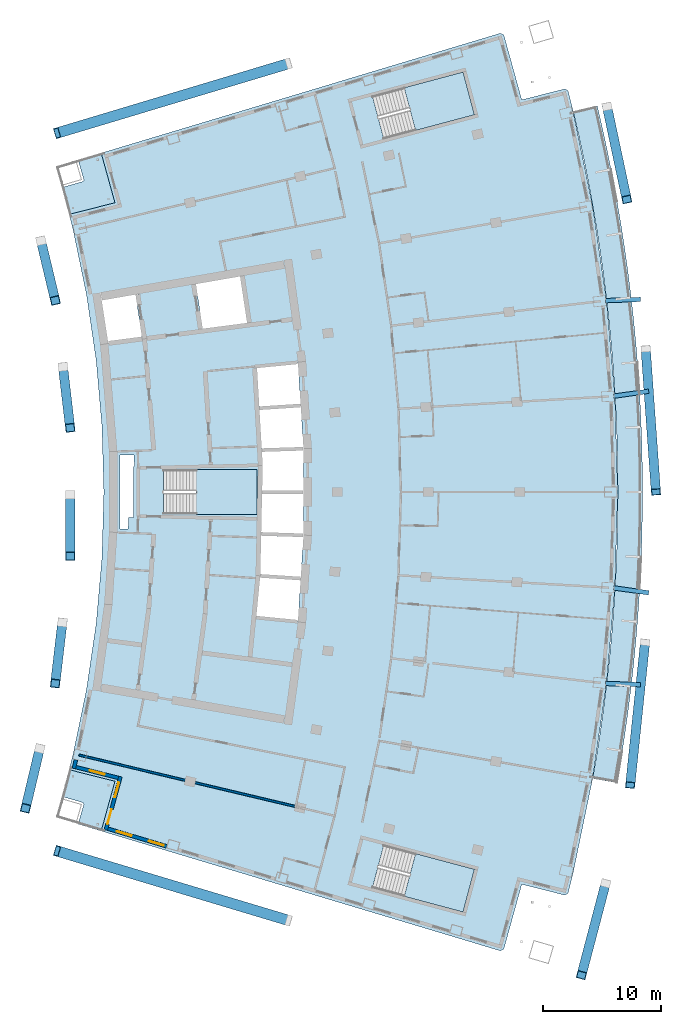
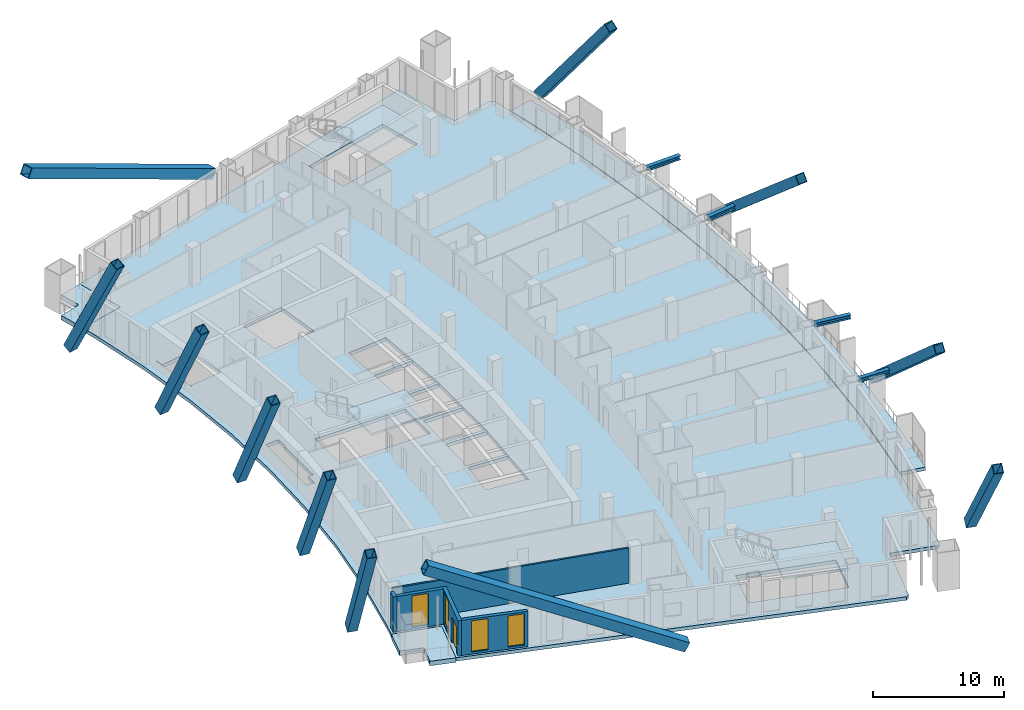
# One storey, part 9 of 19: 15 members, 7 slabs, 5 walls, 4 windows, 1 door, 5 openings, 3 elements without a shape of their own.
"""IFC4 building model written with IfcOpenShell, lengths in metres."""

from ifc_helpers import new_model, si_unit, direction, frame, frame_2d, origin, origin_2d, place, context, subcontext, project, spatial, polyline, rectangle, hollow_rectangle, i_section, outline, extrude, material, layer, layer_set, material_profile, profile_set, type_object, element, fill, aggregate, save


model = new_model("IFC4")

# Units and contexts
model_context = context("Model", 3, precision=1e-05, world=origin(), true_north=direction((0.0, 1.0)))
body_context = subcontext(model_context, "Body", "Model", "MODEL_VIEW")
ifc_project = project(units=[si_unit("LENGTHUNIT", "METRE"), si_unit("AREAUNIT", "SQUARE_METRE"), si_unit("VOLUMEUNIT", "CUBIC_METRE"), si_unit("PLANEANGLEUNIT", "RADIAN"), si_unit("MASSUNIT", "GRAM", prefix="KILO")], contexts=[model_context])

# Site, building, storey
site_placement = place(None, origin())
site = spatial("IfcSite", under=ifc_project, at=site_placement, CompositionType="ELEMENT")
building_placement = place(site_placement, origin())
building = spatial("IfcBuilding", under=site, at=building_placement, Name="Alderwake Tower", CompositionType="ELEMENT")
storey_placement = place(building_placement, frame((0.0, 0.0, 171.199951171875)))
storey = spatial("IfcBuildingStorey", under=building, at=storey_placement, Name="L42", CompositionType="ELEMENT", Elevation=171.199951171875)

# Members
ifc_material_1 = material(Name="Steel ASTM A992 Grade 50", Category="steel")
ifc_material_profile_1 = material_profile(ifc_material_1, i_section(OverallWidth=0.3740234375, OverallDepth=0.372314453125, WebThickness=0.016357421875, FlangeThickness=0.026123046875, at=origin_2d()), Name="W14X132")
ifc_profile_set_1 = profile_set([ifc_material_profile_1], Name="Steel ASTM A992 Grade 50")
member_type_1 = type_object("IfcMemberType", Name="Brace node stub W14X132", PredefinedType="MEMBER", material=ifc_profile_set_1)
for number, where, z_axis, x_axis, name in (
    (1, (59.2626953125, 52.8662109375, 3.393798828125), (0.990217286308, -0.139533959658, 0.0), (0.139533959658, 0.990217286308, 0.0), "Brace node stub BS.FR06-C5.1748"),
    (2, (58.5517578125, 44.7626953125, 3.393798828125), (0.99938860461, -0.034963080168, 0.0), (0.034963080168, 0.99938860461, 0.0), "Brace node stub BS.FR05-C5.1748"),
    (3, (58.5517578125, 77.2373046875, 3.393798828125), (0.99938860461, 0.034963080168, 0.0), (-0.034963080168, 0.99938860461, 0.0), "Brace node stub BS.FR09-C5.1748"),
    (4, (59.2626953125, 69.1337890625, 3.393798828125), (0.990217286308, 0.139533959658, 0.0), (-0.139533959658, 0.990217286308, 0.0), "Brace node stub BS.FR08-C5.1748"),
):
    element("IfcMember", number, at=place(storey_placement, frame(where, z_axis=z_axis, x_axis=x_axis)), inside=storey, type_object=member_type_1, Name=name, PredefinedType="MEMBER", context=body_context, shape_type="SweptSolid", body=[
        extrude(i_section(OverallWidth=0.3740234375, OverallDepth=0.372314453125, WebThickness=0.016357421875, FlangeThickness=0.026123046875, at=origin_2d()), origin(), (0.0, 0.0, 1.0), 2.988525390625),
    ])
ifc_material_2 = material(Name="Steel ASTM A572 Grade 50", Category="steel")
ifc_material_profile_2 = material_profile(ifc_material_2, hollow_rectangle(XDim=0.89990234375, YDim=0.89990234375, WallThickness=0.054931640625, at=origin_2d()), Name="BOX 900X900X55")
ifc_profile_set_2 = profile_set([ifc_material_profile_2], Name="Steel ASTM A572 Grade 50")
member_type_2 = type_object("IfcMemberType", Name="Mega brace end Z3", PredefinedType="BRACE", material=ifc_profile_set_2)
for number, where, z_axis, x_axis, name in (
    (5, (31.668701171875, 24.65478515625, 0.305419921875), (-0.852575806573, 0.25596565161, 0.455627127422), (-0.287546696653, -0.957766619404, 0.0), "Brace BRS3.2.0B2"),
    (6, (31.668701171875, 97.34521484375, 0.305419921875), (-0.852575806573, -0.25596565161, 0.455627127422), (0.287546696653, -0.957766619404, 0.0), "Brace BRN3.2.0B2"),
):
    element("IfcMember", number, at=place(storey_placement, frame(where, z_axis=z_axis, x_axis=x_axis)), inside=storey, type_object=member_type_2, Name=name, PredefinedType="BRACE", context=body_context, shape_type="SweptSolid", body=[
        extrude(hollow_rectangle(XDim=0.89990234375, YDim=0.89990234375, WallThickness=0.054931640625, at=origin_2d()), origin(), (0.0, 0.0, 1.0), 23.033447265625),
    ])
ifc_material_3 = material(Name="Steel ASTM A572 Grade 50", Category="steel")
ifc_material_profile_3 = material_profile(ifc_material_3, hollow_rectangle(XDim=0.800048828125, YDim=0.800048828125, WallThickness=0.050048828125, at=origin_2d()), Name="BOX 800X800X50")
ifc_profile_set_3 = profile_set([ifc_material_profile_3], Name="Steel ASTM A572 Grade 50")
member_type_3 = type_object("IfcMemberType", Name="Mega brace face Z3", PredefinedType="BRACE", material=ifc_profile_set_3)
member_1_placement = place(storey_placement, frame((58.568603515625, 27.806640625, 0.344482421875), z_axis=(-0.155371909933, -0.590361473273, 0.792043496582), x_axis=(0.967069042998, -0.254514176568, 0.0)))
element("IfcMember", 7, at=member_1_placement, inside=storey, type_object=member_type_3, Name="Brace BRF3.2.2B2", PredefinedType="BRACE", context=body_context, shape_type="SweptSolid", body=[
    extrude(hollow_rectangle(XDim=0.800048828125, YDim=0.800048828125, WallThickness=0.050048828125, at=origin_2d()), origin(), (0.0, 0.0, 1.0), 13.20068359375),
])
for number, where, z_axis, x_axis, name in (
    (8, (61.91064453125, 48.2421875, 0.28125), (-0.078171809318, -0.752676780477, 0.653732997759), (0.994649958678, -0.103302757471, 0.0), "Brace BRF3.2.4B2"),
    (9, (61.964599609375, 73.144775390625, 0.28125), (0.054061992632, -0.754789173022, 0.653735883398), (0.997444736522, 0.071442267489, 0.0), "Brace BRF3.2.7B2"),
):
    element("IfcMember", number, at=place(storey_placement, frame(where, z_axis=z_axis, x_axis=x_axis)), inside=storey, type_object=member_type_3, Name=name, PredefinedType="BRACE", context=body_context, shape_type="SweptSolid", body=[
        extrude(hollow_rectangle(XDim=0.800048828125, YDim=0.800048828125, WallThickness=0.050048828125, at=origin_2d()), origin(), (0.0, 0.0, 1.0), 16.09033203125),
    ])
member_2_placement = place(storey_placement, frame((58.68603515625, 93.699462890625, 0.344482421875), z_axis=(0.126854129551, -0.597133588106, 0.792047667613), x_axis=(0.978171091774, 0.207801143447, 0.0)))
element("IfcMember", 10, at=member_2_placement, inside=storey, type_object=member_type_3, Name="Brace BRF3.2.10B2", PredefinedType="BRACE", context=body_context, shape_type="SweptSolid", body=[
    extrude(hollow_rectangle(XDim=0.800048828125, YDim=0.800048828125, WallThickness=0.050048828125, at=origin_2d()), origin(), (0.0, 0.0, 1.0), 13.20068359375),
])
for number, where, z_axis, x_axis, name in (
    (11, (10.565185546875, 39.244873046875, 0.446533203125), (-0.10399521969, -0.437630754388, 0.893120550148), (0.972907596897, -0.231194307674, 0.0), "Brace BRR3.2.2B2"),
    (12, (12.48193359375, 49.934814453125, 0.446533203125), (-0.052355380573, -0.446768722233, 0.893116242691), (0.993203552049, -0.11639030972, 0.0), "Brace BRR3.2.4B2"),
    (13, (13.141357421875, 60.775146484375, 0.446533203125), (0.0, -0.449823144453, 0.893117651105), (1.0, 0.0, 0.0), "Brace BRR3.2.6B2"),
    (14, (12.5341796875, 71.618408203125, 0.446533203125), (0.052376875702, -0.446751372848, 0.893123660951), (0.993197504065, 0.116441907915, 0.0), "Brace BRR3.2.8B2"),
    (15, (10.669189453125, 82.3173828125, 0.446533203125), (0.104017010705, -0.437612768868, 0.893126825265), (0.972894561236, 0.231249157223, 0.0), "Brace BRR3.2.10B2"),
):
    element("IfcMember", number, at=place(storey_placement, frame(where, z_axis=z_axis, x_axis=x_axis)), inside=storey, type_object=member_type_3, Name=name, PredefinedType="BRACE", context=body_context, shape_type="SweptSolid", body=[
        extrude(hollow_rectangle(XDim=0.800048828125, YDim=0.800048828125, WallThickness=0.050048828125, at=origin_2d()), origin(), (0.0, 0.0, 1.0), 11.592529296875),
    ])

# Slabs
ifc_material_4 = material(Name="Concrete C50/60", Category="concrete")
ifc_layer_1 = layer(ifc_material_4, 0.320068359375)
ifc_layer_set_1 = layer_set([ifc_layer_1], Name="Balcony slab 320")
slab_type_1 = type_object("IfcSlabType", Name="Balcony slab 320", PredefinedType="FLOOR", material=ifc_layer_set_1)
slab_1_placement = place(storey_placement, frame((0.0, 0.0, -0.320068359375)))
element("IfcSlab", 16, at=slab_1_placement, inside=storey, type_object=slab_type_1, Name="Balcony BF04", PredefinedType="FLOOR", context=body_context, shape_type="SweptSolid", body=[
    extrude(outline(polyline([(59.880615234375, 38.3662109375), (60.19580078125, 40.40869140625), (60.481201171875, 42.455078125), (60.73681640625, 44.505859375), (60.96240234375, 46.559814453125), (61.157958984375, 48.6171875), (61.323486328125, 50.677001953125), (61.458984375, 52.739013671875), (61.564453125, 54.802490234375), (61.6396484375, 56.86767578125), (61.684814453125, 58.93359375), (61.699951171875, 61.0), (61.684814453125, 63.06640625), (61.6396484375, 65.13232421875), (61.564453125, 67.197509765625), (61.458984375, 69.260986328125), (61.323486328125, 71.322998046875), (61.157958984375, 73.3828125), (60.96240234375, 75.440185546875), (60.73681640625, 77.494140625), (60.481201171875, 79.544921875), (60.19580078125, 81.59130859375), (59.880615234375, 83.6337890625), (59.535888671875, 85.671142578125), (59.1611328125, 87.703369140625), (58.7568359375, 89.729736328125), (58.3232421875, 91.750244140625), (57.860107421875, 93.76416015625), (55.81689453125, 93.278564453125), (56.273193359375, 91.29443359375), (56.700439453125, 89.30419921875), (57.098876953125, 87.3076171875), (57.4677734375, 85.305419921875), (57.8076171875, 83.298095703125), (58.1181640625, 81.2861328125), (58.3994140625, 79.27001953125), (58.65087890625, 77.249755859375), (58.873291015625, 75.22607421875), (59.06591796875, 73.199462890625), (59.22900390625, 71.170166015625), (59.362548828125, 69.138671875), (59.46630859375, 67.105712890625), (59.54052734375, 65.071044921875), (59.585205078125, 63.035888671875), (59.60009765625, 61.0), (59.585205078125, 58.964111328125), (59.54052734375, 56.928955078125), (59.46630859375, 54.894287109375), (59.362548828125, 52.861328125), (59.22900390625, 50.829833984375), (59.06591796875, 48.800537109375), (58.873291015625, 46.77392578125), (58.65087890625, 44.750244140625), (58.3994140625, 42.72998046875), (58.1181640625, 40.7138671875), (57.8076171875, 38.701904296875), (57.4677734375, 36.694580078125), (59.535888671875, 36.328857421875), (59.880615234375, 38.3662109375)])), origin(), (0.0, 0.0, 1.0), 0.320068359375),
])
ifc_material_5 = material(Name="Concrete C50/60", Category="concrete")
ifc_layer_2 = layer(ifc_material_5, 0.320068359375)
ifc_layer_set_2 = layer_set([ifc_layer_2], Name="Concrete C50/60 post-tensioned flat plate 320")
slab_type_2 = type_object("IfcSlabType", Name="Concrete C50/60 post-tensioned flat plate 320", PredefinedType="FLOOR", material=ifc_layer_set_2)
slab_2_placement = place(storey_placement, frame((0.0, 0.0, -0.320068359375)))
element("IfcSlab", 17, at=slab_2_placement, inside=storey, type_object=slab_type_2, Name="Floor slab L42", PredefinedType="FLOOR", context=body_context, shape_type="SweptSolid", body=[
    extrude(outline(polyline([(13.06494140625, 37.443115234375), (13.3984375, 38.802734375), (14.53369140625, 44.28564453125), (15.347412109375, 49.825439453125), (15.836669921875, 55.4033203125), (16.0, 61.0), (15.836669921875, 66.5966796875), (15.347412109375, 72.174560546875), (14.53369140625, 77.71435546875), (13.3984375, 83.197265625), (13.06494140625, 84.556884765625), (16.942626953125, 85.53857421875), (15.776611328125, 89.7548828125), (49.65283203125, 99.925537109375), (49.934326171875, 99.77001953125), (51.4541015625, 94.274169921875), (55.10888671875, 95.19921875), (55.38671875, 95.0322265625), (55.81689453125, 93.278564453125), (57.4677734375, 85.305419921875), (58.65087890625, 77.249755859375), (59.362548828125, 69.138671875), (59.60009765625, 61.0), (59.362548828125, 52.861328125), (58.65087890625, 44.750244140625), (57.4677734375, 36.694580078125), (55.81689453125, 28.721435546875), (55.38671875, 26.9677734375), (55.10888671875, 26.80078125), (51.4541015625, 27.725830078125), (49.934326171875, 22.22998046875), (49.65283203125, 22.074462890625), (15.776611328125, 32.2451171875), (16.942626953125, 36.46142578125), (13.06494140625, 37.443115234375)]), holes=[polyline([(29.25732421875, 53.7685546875), (28.939697265625, 50.49072265625), (32.447509765625, 50.147705078125), (32.432861328125, 49.998291015625), (32.462646484375, 49.995361328125), (32.701416015625, 53.660888671875), (32.940185546875, 57.32666015625), (32.940185546875, 61.0), (32.940185546875, 64.67333984375), (32.701416015625, 68.339111328125), (32.462646484375, 72.004638671875), (32.432861328125, 72.001708984375), (32.447509765625, 71.852294921875), (28.886962890625, 71.50390625), (28.88720703125, 71.50048828125), (28.99462890625, 71.506591796875), (29.184814453125, 68.26025390625), (32.66162109375, 68.48681640625), (32.67138671875, 68.337158203125), (32.68115234375, 68.1875), (29.2021484375, 67.960693359375), (29.392578125, 64.7080078125), (32.9052734375, 64.822265625), (32.91015625, 64.67236328125), (32.9150390625, 64.5224609375), (29.41015625, 64.408447265625), (29.4765625, 63.27685546875), (29.429443359375, 61.14990234375), (32.91015625, 61.14990234375), (32.91015625, 61.0), (32.91015625, 60.85009765625), (29.4228515625, 60.85009765625), (29.350830078125, 57.593505859375), (32.9150390625, 57.4775390625), (32.91015625, 57.32763671875), (32.9052734375, 57.177734375), (29.34423828125, 57.29345703125), (29.2705078125, 53.9697265625), (29.274169921875, 53.969482421875), (29.2783203125, 54.0341796875), (32.68115234375, 53.8125), (32.67138671875, 53.662841796875), (32.66162109375, 53.51318359375), (29.2587890625, 53.73486328125), (29.260986328125, 53.768310546875), (29.25732421875, 53.7685546875)]), polyline([(21.050048828125, 62.875), (21.050048828125, 59.125), (29.0, 59.125), (29.0, 62.875), (21.050048828125, 62.875)]), polyline([(15.739013671875, 77.927490234375), (15.5361328125, 77.8916015625), (15.536865234375, 77.887939453125), (15.716796875, 77.91552734375), (16.379150390625, 73.605712890625), (16.4091796875, 73.609619140625), (16.38330078125, 73.80810546875), (19.224853515625, 74.1796875), (18.689697265625, 77.74365234375), (18.885986328125, 77.773193359375), (18.8837890625, 77.787109375), (15.854248046875, 77.261962890625), (15.739013671875, 77.927490234375)]), polyline([(27.555419921875, 79.29052734375), (23.811767578125, 78.6416015625), (24.384033203125, 74.8583984375), (24.373291015625, 74.856689453125), (24.373779296875, 74.85302734375), (28.152587890625, 75.347412109375), (27.555419921875, 79.29052734375)]), polyline([(47.436279296875, 28.996826171875), (39.754150390625, 31.043212890625), (38.7890625, 27.41943359375), (46.47119140625, 25.373291015625), (47.436279296875, 28.996826171875)]), polyline([(46.47119140625, 96.626708984375), (38.7890625, 94.58056640625), (39.754150390625, 90.956787109375), (47.436279296875, 93.003173828125), (46.47119140625, 96.626708984375)]), polyline([(17.389404296875, 64.1220703125), (17.389404296875, 57.8779296875), (18.06298828125, 57.85400390625), (18.090576171875, 58.84375), (18.544189453125, 58.831298828125), (18.529296875, 58.8681640625), (18.5234375, 58.891845703125), (18.5185546875, 58.940673828125), (18.5185546875, 63.060302734375), (18.5234375, 63.109130859375), (18.53759765625, 63.156005859375), (18.560791015625, 63.19921875), (18.588623046875, 63.2333984375), (18.562744140625, 64.16357421875), (17.389404296875, 64.1220703125)])]), origin(), (0.0, 0.0, 1.0), 0.320068359375),
])

# Stair, slab
ifc_material_6 = material(Name="Concrete C40/50", Category="concrete")
stair_type = type_object("IfcStairType", Name="Core exit stair", PredefinedType="HALF_TURN_STAIR", material=ifc_material_6)
stair_1_placement = place(storey_placement, origin())
stair_1 = element("IfcStair", 18, at=stair_1_placement, inside=storey, type_object=stair_type, Name="L42 Exit Stair B", PredefinedType="HALF_TURN_STAIR")
ifc_material_7 = material(Name="Concrete C40/50", Category="concrete")
ifc_layer_3 = layer(ifc_material_7, 0.199951171875)
ifc_layer_set_3 = layer_set([ifc_layer_3], Name="Core stair landing 200")
slab_type_3 = type_object("IfcSlabType", Name="Core stair landing 200", PredefinedType="LANDING", material=ifc_layer_set_3)
slab_3_placement = place(storey_placement, frame((0.0, 0.0, 1.60009765625)))
slab_3 = element("IfcSlab", 19, at=slab_3_placement, type_object=slab_type_3, Name="ST-B landing 1", PredefinedType="LANDING", context=body_context, shape_type="SweptSolid", body=[
    extrude(outline(polyline([(23.830078125, 59.074951171875), (29.0, 59.074951171875), (29.0, 62.925048828125), (23.830078125, 62.925048828125), (23.830078125, 59.074951171875)])), origin(), (0.0, 0.0, 1.0), 0.199951171875),
])
aggregate(stair_1, [slab_3])

stair_2_placement = place(storey_placement, origin())
stair_2 = element("IfcStair", 20, at=stair_2_placement, inside=storey, type_object=stair_type, Name="L42 Exit Stair A", PredefinedType="HALF_TURN_STAIR")
slab_4_placement = place(storey_placement, frame((0.0, 0.0, 1.60009765625)))
slab_4 = element("IfcSlab", 21, at=slab_4_placement, type_object=slab_type_3, Name="ST-A landing 1", PredefinedType="LANDING", context=body_context, shape_type="SweptSolid", body=[
    extrude(outline(polyline([(42.440673828125, 91.67236328125), (47.436279296875, 93.003173828125), (46.47119140625, 96.626708984375), (41.475341796875, 95.296142578125), (42.440673828125, 91.67236328125)])), origin(), (0.0, 0.0, 1.0), 0.199951171875),
])
aggregate(stair_2, [slab_4])

stair_3_placement = place(storey_placement, origin())
stair_3 = element("IfcStair", 22, at=stair_3_placement, inside=storey, type_object=stair_type, Name="L42 Exit Stair C", PredefinedType="HALF_TURN_STAIR")
slab_5_placement = place(storey_placement, frame((0.0, 0.0, 1.60009765625)))
slab_5 = element("IfcSlab", 23, at=slab_5_placement, type_object=slab_type_3, Name="ST-C landing 1", PredefinedType="LANDING", context=body_context, shape_type="SweptSolid", body=[
    extrude(outline(polyline([(41.475341796875, 26.703857421875), (46.47119140625, 25.373291015625), (47.436279296875, 28.996826171875), (42.4404296875, 30.32763671875), (41.475341796875, 26.703857421875)])), origin(), (0.0, 0.0, 1.0), 0.199951171875),
])
aggregate(stair_3, [slab_5])

# Slabs
ifc_material_8 = material(Name="Concrete C50/60", Category="concrete")
ifc_layer_4 = layer(ifc_material_8, 0.419921875)
ifc_layer_set_4 = layer_set([ifc_layer_4], Name="Terrace slab 420")
slab_type_4 = type_object("IfcSlabType", Name="Terrace slab 420", PredefinedType="FLOOR", material=ifc_layer_set_4)
slab_6_placement = place(storey_placement, frame((0.0, 0.0, -0.419921875)))
element("IfcSlab", 24, at=slab_6_placement, inside=storey, type_object=slab_type_4, Name="Corner terrace RS", PredefinedType="FLOOR", context=body_context, shape_type="SweptSolid", body=[
    extrude(outline(polyline([(15.776611328125, 32.2451171875), (13.768798828125, 32.847900390625), (13.77685546875, 32.851806640625), (13.789306640625, 32.859619140625), (13.801025390625, 32.868408203125), (13.81201171875, 32.878662109375), (13.82177734375, 32.8896484375), (13.830322265625, 32.901611328125), (13.837646484375, 32.914306640625), (13.84375, 32.927490234375), (13.8486328125, 32.94140625), (14.29443359375, 34.478271484375), (14.2978515625, 34.492431640625), (14.2998046875, 34.507080078125), (14.30029296875, 34.521728515625), (14.29931640625, 34.53662109375), (14.297119140625, 34.551025390625), (14.29345703125, 34.565185546875), (14.2880859375, 34.5791015625), (14.28173828125, 34.59228515625), (14.27392578125, 34.604736328125), (14.26513671875, 34.616455078125), (14.255126953125, 34.627197265625), (14.244140625, 34.63720703125), (14.232177734375, 34.645751953125), (14.219482421875, 34.653076171875), (14.2060546875, 34.6591796875), (14.192138671875, 34.6640625), (12.46337890625, 35.16552734375), (12.456787109375, 35.1669921875), (12.71142578125, 36.08837890625), (13.06494140625, 37.443115234375), (16.942626953125, 36.46142578125), (15.776611328125, 32.2451171875)])), origin(), (0.0, 0.0, 1.0), 0.419921875),
])
slab_7_placement = place(storey_placement, frame((0.0, 0.0, -0.419921875)))
element("IfcSlab", 25, at=slab_7_placement, inside=storey, type_object=slab_type_4, Name="Corner terrace RN", PredefinedType="FLOOR", context=body_context, shape_type="SweptSolid", body=[
    extrude(outline(polyline([(12.456787109375, 86.8330078125), (12.46337890625, 86.83447265625), (14.192138671875, 87.3359375), (14.2060546875, 87.3408203125), (14.219482421875, 87.346923828125), (14.232177734375, 87.354248046875), (14.244140625, 87.36279296875), (14.255126953125, 87.372802734375), (14.26513671875, 87.383544921875), (14.27392578125, 87.395263671875), (14.28173828125, 87.40771484375), (14.2880859375, 87.4208984375), (14.29345703125, 87.434814453125), (14.297119140625, 87.448974609375), (14.29931640625, 87.46337890625), (14.30029296875, 87.478271484375), (14.2998046875, 87.492919921875), (14.2978515625, 87.507568359375), (14.29443359375, 87.521728515625), (13.8486328125, 89.05859375), (13.84375, 89.072509765625), (13.837646484375, 89.085693359375), (13.830322265625, 89.098388671875), (13.82177734375, 89.1103515625), (13.81201171875, 89.121337890625), (13.801025390625, 89.131591796875), (13.789306640625, 89.140380859375), (13.77685546875, 89.148193359375), (13.768798828125, 89.152099609375), (15.776611328125, 89.7548828125), (16.942626953125, 85.53857421875), (13.06494140625, 84.556884765625), (12.71142578125, 85.91162109375), (12.456787109375, 86.8330078125)])), origin(), (0.0, 0.0, 1.0), 0.419921875),
])

# Walls
ifc_material_9 = material(Name="Gypsum board on metal studs, rated")
ifc_layer_5 = layer(ifc_material_9, 0.159912109375)
ifc_layer_set_5 = layer_set([ifc_layer_5], Name="Corridor wall 160")
wall_type_1 = type_object("IfcWallType", Name="Corridor wall 160", PredefinedType="PARTITIONING", material=ifc_layer_set_5)
wall_1_placement = place(storey_placement, frame((13.884033203125, 38.68798828125, 0.0), z_axis=(0.0, 0.0, 1.0), x_axis=(0.972897690171, -0.231235993004, 0.0)))
element("IfcWall", 26, at=wall_1_placement, inside=storey, type_object=wall_type_1, Name="WL/L42/W13", PredefinedType="PARTITIONING", context=body_context, shape_type="SweptSolid", body=[
    extrude(rectangle(XDim=18.8271484375, YDim=0.159912109375, at=frame_2d((9.41357421875, 0.0))), origin(), (0.0, 0.0, 1.0), 3.280029296875),
])
ifc_material_10 = material(Name="Precast concrete C50/60 spandrel panel", Category="concrete")
ifc_layer_6 = layer(ifc_material_10, 0.300048828125)
ifc_layer_set_6 = layer_set([ifc_layer_6], Name="External wall EW1 Precast concrete C50/60 spandrel")
wall_type_2 = type_object("IfcWallType", Name="External wall EW1 Precast concrete C50/60 spandrel", PredefinedType="SOLIDWALL", material=ifc_layer_set_6)
wall_2_placement = place(storey_placement, frame((13.63134765625, 38.28271484375, 0.0), z_axis=(0.0, 0.0, 1.0), x_axis=(-0.238336947214, -0.971182526404, 0.0)))
element("IfcWall", 27, at=wall_2_placement, inside=storey, type_object=wall_type_2, Name="External wall 1", PredefinedType="SOLIDWALL", context=body_context, shape_type="SweptSolid", body=[
    extrude(rectangle(XDim=0.7529296875, YDim=0.300048828125, at=frame_2d((0.37646484375, 0.0))), origin(), (0.0, 0.0, 1.0), 3.280029296875),
])

# Wall, opening, window
ifc_material_11 = material(Name="Bronze metal cladding on lightweight framing")
ifc_layer_7 = layer(ifc_material_11, 0.300048828125)
ifc_layer_set_7 = layer_set([ifc_layer_7], Name="External wall EW2 bronze metal cladding")
wall_type_3 = type_object("IfcWallType", Name="External wall EW2 bronze metal cladding", PredefinedType="SOLIDWALL", material=ifc_layer_set_7)
wall_3_placement = place(storey_placement, frame((13.633056640625, 37.660400390625, 0.0), z_axis=(0.0, 0.0, 1.0), x_axis=(0.969417366605, -0.245417948254, 0.0)))
wall_3 = element("IfcWall", 28, at=wall_3_placement, inside=storey, type_object=wall_type_3, Name="External wall 2", PredefinedType="SOLIDWALL", context=body_context, shape_type="SweptSolid", body=[
    extrude(rectangle(XDim=3.70556640625, YDim=0.300048828125, at=frame_2d((1.852783203125, 0.0))), origin(), (0.0, 0.0, 1.0), 3.280029296875),
])
opening_1_placement = place(wall_3_placement, frame((1.202880859375, 0.0, 0.199951171875)))
opening_1 = element("IfcOpeningElement", 29, at=opening_1_placement, cuts=wall_3, Name="Opening W1", PredefinedType="OPENING", context=body_context, shape_type="SweptSolid", body=[
    extrude(rectangle(XDim=1.300048828125, YDim=2.89990234375, at=frame_2d((0.64990234375, 1.449951171875))), frame((0.0, 0.159912109375, 0.0), z_axis=(0.0, -1.0, 0.0), x_axis=(1.0, 0.0, 0.0)), (0.0, 0.0, 1.0), 0.320068359375),
])
ifc_material_12 = material(Name="Bronze tinted glass in aluminium frame", Category="aluminium")
window_type = type_object("IfcWindowType", Name="Window W1 tall fixed and vent", PartitioningType="DOUBLE_PANEL_VERTICAL", PredefinedType="WINDOW", material=ifc_material_12)
window_1_placement = place(opening_1_placement, origin())
window_1 = element("IfcWindow", 30, at=window_1_placement, inside=storey, type_object=window_type, Name="Window W1 tall fixed and vent", OverallHeight=2.89990234375, OverallWidth=1.300048828125, PartitioningType="DOUBLE_PANEL_VERTICAL", PredefinedType="WINDOW", context=body_context, shape_type="SweptSolid", body=[
    extrude(rectangle(XDim=1.300048828125, YDim=2.89990234375, at=frame_2d((0.64990234375, 1.449951171875))), frame((0.0, 0.030029296875, 0.0), z_axis=(0.0, -1.0, 0.0), x_axis=(1.0, 0.0, 0.0)), (0.0, 0.0, 1.0), 0.06005859375),
])
fill(opening_1, window_1)

# Wall, openings, door, window
wall_4_placement = place(storey_placement, frame((17.410400390625, 36.85888671875, 0.0), z_axis=(0.0, 0.0, 1.0), x_axis=(-0.264592640785, -0.96436027212, 0.0)))
wall_4 = element("IfcWall", 31, at=wall_4_placement, inside=storey, type_object=wall_type_3, Name="External wall 3", PredefinedType="SOLIDWALL", context=body_context, shape_type="SweptSolid", body=[
    extrude(rectangle(XDim=4.690185546875, YDim=0.300048828125, at=frame_2d((2.34521484375, 0.0))), origin(), (0.0, 0.0, 1.0), 3.280029296875),
])
opening_2_placement = place(wall_4_placement, frame((0.5224609375, 0.0, 0.199951171875)))
opening_2 = element("IfcOpeningElement", 32, at=opening_2_placement, cuts=wall_4, Name="Opening W1", PredefinedType="OPENING", context=body_context, shape_type="SweptSolid", body=[
    extrude(rectangle(XDim=1.300048828125, YDim=2.89990234375, at=frame_2d((0.64990234375, 1.449951171875))), frame((0.0, 0.159912109375, 0.0), z_axis=(0.0, -1.0, 0.0), x_axis=(1.0, 0.0, 0.0)), (0.0, 0.0, 1.0), 0.320068359375),
])
opening_3_placement = place(wall_4_placement, frame((2.867431640625, 0.0, 0.0)))
opening_3 = element("IfcOpeningElement", 33, at=opening_3_placement, cuts=wall_4, Name="Opening D01", PredefinedType="OPENING", context=body_context, shape_type="SweptSolid", body=[
    extrude(rectangle(XDim=1.300048828125, YDim=2.39990234375, at=frame_2d((0.64990234375, 1.199951171875))), frame((0.0, 0.159912109375, 0.0), z_axis=(0.0, -1.0, 0.0), x_axis=(1.0, 0.0, 0.0)), (0.0, 0.0, 1.0), 0.320068359375),
])
ifc_material_13 = material(Name="Bronze tinted glass in aluminium frame", Category="aluminium")
door_type = type_object("IfcDoorType", Name="Balcony door BD sliding", OperationType="SLIDING_TO_LEFT", PredefinedType="DOOR", material=ifc_material_13)
door_placement = place(opening_3_placement, origin())
door = element("IfcDoor", 34, at=door_placement, inside=storey, type_object=door_type, Name="Door D01", OperationType="SLIDING_TO_LEFT", OverallHeight=2.39990234375, OverallWidth=1.300048828125, PredefinedType="DOOR", context=body_context, shape_type="SweptSolid", body=[
    extrude(rectangle(XDim=1.300048828125, YDim=2.39990234375, at=frame_2d((0.64990234375, 1.199951171875))), frame((0.0, 0.02490234375, 0.0), z_axis=(0.0, -1.0, 0.0), x_axis=(1.0, 0.0, 0.0)), (0.0, 0.0, 1.0), 0.050048828125),
])
fill(opening_3, door)
window_2_placement = place(opening_2_placement, origin())
window_2 = element("IfcWindow", 35, at=window_2_placement, inside=storey, type_object=window_type, Name="Window W1 tall fixed and vent", OverallHeight=2.89990234375, OverallWidth=1.300048828125, PartitioningType="DOUBLE_PANEL_VERTICAL", PredefinedType="WINDOW", context=body_context, shape_type="SweptSolid", body=[
    extrude(rectangle(XDim=1.300048828125, YDim=2.89990234375, at=frame_2d((0.64990234375, 1.449951171875))), frame((0.0, 0.030029296875, 0.0), z_axis=(0.0, -1.0, 0.0), x_axis=(1.0, 0.0, 0.0)), (0.0, 0.0, 1.0), 0.06005859375),
])
fill(opening_2, window_2)

# Wall, openings, windows
wall_5_placement = place(storey_placement, frame((16.352783203125, 32.4375, 0.0), z_axis=(0.0, 0.0, 1.0), x_axis=(0.95776681843, -0.287546033732, 0.0)))
wall_5 = element("IfcWall", 36, at=wall_5_placement, inside=storey, type_object=wall_type_3, Name="External wall 4", PredefinedType="SOLIDWALL", context=body_context, shape_type="SweptSolid", body=[
    extrude(rectangle(XDim=5.199462890625, YDim=0.300048828125, at=frame_2d((2.599609375, 0.0))), origin(), (0.0, 0.0, 1.0), 3.280029296875),
])
opening_4_placement = place(wall_5_placement, frame((0.775390625, 0.0, 0.199951171875)))
opening_4 = element("IfcOpeningElement", 37, at=opening_4_placement, cuts=wall_5, Name="Opening W1", PredefinedType="OPENING", context=body_context, shape_type="SweptSolid", body=[
    extrude(rectangle(XDim=1.300048828125, YDim=2.89990234375, at=frame_2d((0.64990234375, 1.449951171875))), frame((0.0, 0.159912109375, 0.0), z_axis=(0.0, -1.0, 0.0), x_axis=(1.0, 0.0, 0.0)), (0.0, 0.0, 1.0), 0.320068359375),
])
opening_5_placement = place(wall_5_placement, frame((3.626220703125, 0.0, 0.199951171875)))
opening_5 = element("IfcOpeningElement", 38, at=opening_5_placement, cuts=wall_5, Name="Opening W1", PredefinedType="OPENING", context=body_context, shape_type="SweptSolid", body=[
    extrude(rectangle(XDim=1.300048828125, YDim=2.89990234375, at=frame_2d((0.64990234375, 1.449951171875))), frame((0.0, 0.159912109375, 0.0), z_axis=(0.0, -1.0, 0.0), x_axis=(1.0, 0.0, 0.0)), (0.0, 0.0, 1.0), 0.320068359375),
])
window_3_placement = place(opening_4_placement, origin())
window_3 = element("IfcWindow", 39, at=window_3_placement, inside=storey, type_object=window_type, Name="Window W1 tall fixed and vent", OverallHeight=2.89990234375, OverallWidth=1.300048828125, PartitioningType="DOUBLE_PANEL_VERTICAL", PredefinedType="WINDOW", context=body_context, shape_type="SweptSolid", body=[
    extrude(rectangle(XDim=1.300048828125, YDim=2.89990234375, at=frame_2d((0.64990234375, 1.449951171875))), frame((0.0, 0.030029296875, 0.0), z_axis=(0.0, -1.0, 0.0), x_axis=(1.0, 0.0, 0.0)), (0.0, 0.0, 1.0), 0.06005859375),
])
fill(opening_4, window_3)
window_4_placement = place(opening_5_placement, origin())
window_4 = element("IfcWindow", 40, at=window_4_placement, inside=storey, type_object=window_type, Name="Window W1 tall fixed and vent", OverallHeight=2.89990234375, OverallWidth=1.300048828125, PartitioningType="DOUBLE_PANEL_VERTICAL", PredefinedType="WINDOW", context=body_context, shape_type="SweptSolid", body=[
    extrude(rectangle(XDim=1.300048828125, YDim=2.89990234375, at=frame_2d((0.64990234375, 1.449951171875))), frame((0.0, 0.030029296875, 0.0), z_axis=(0.0, -1.0, 0.0), x_axis=(1.0, 0.0, 0.0)), (0.0, 0.0, 1.0), 0.06005859375),
])
fill(opening_5, window_4)

save(model, "model.ifc")
